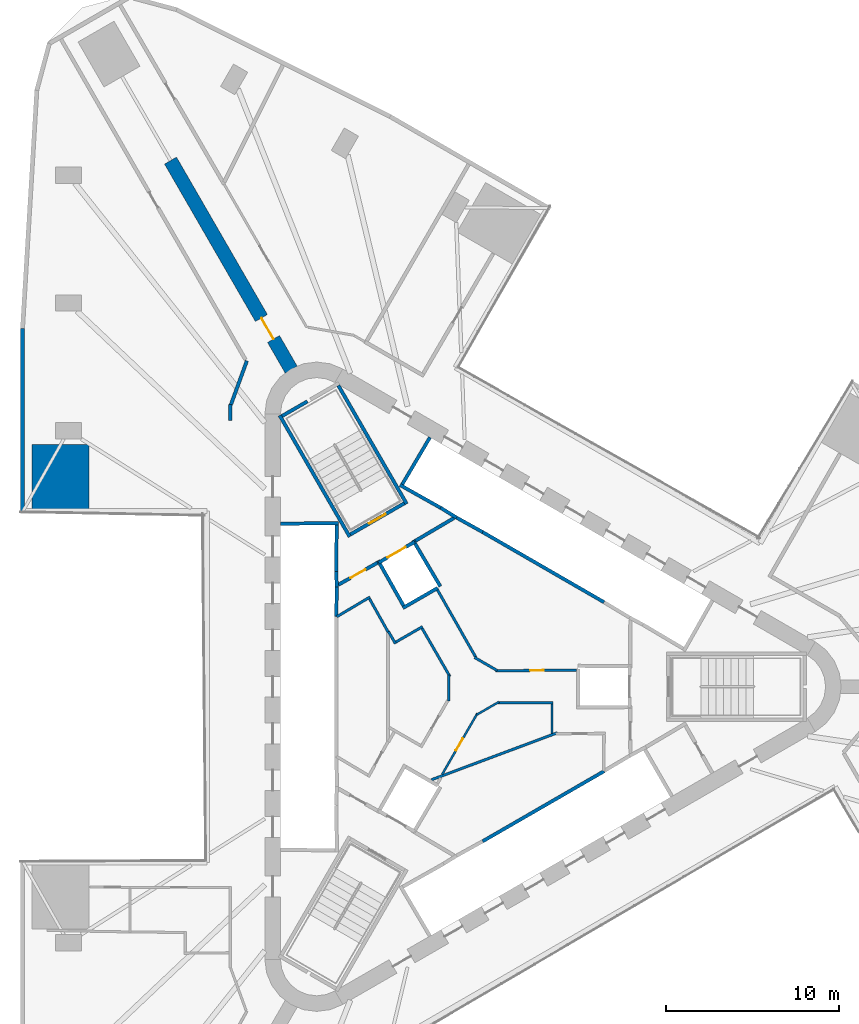
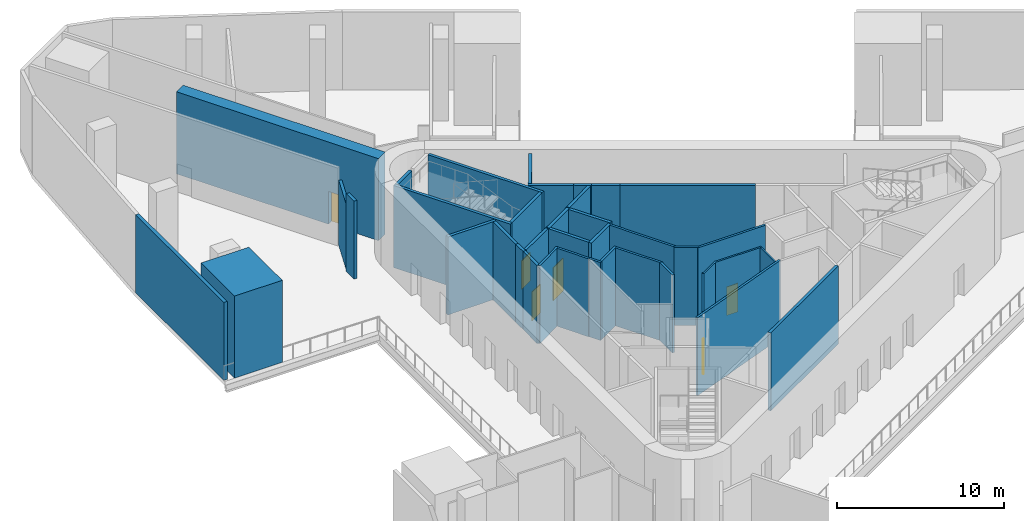
# One storey, part 5 of 11: 39 walls, 6 doors, 6 openings.
"""IFC4 building model written with IfcOpenShell, lengths in metres."""

from ifc_helpers import new_model, si_unit, direction, frame, frame_2d, origin, place, context, subcontext, project, spatial, polyline, rectangle, outline, extrude, material, layer, layer_set, type_object, element, fill, save


model = new_model("IFC4")

# Units and contexts
model_context = context("Model", 3, precision=1e-05, world=origin(), true_north=direction((0.0, 1.0)))
body_context = subcontext(model_context, "Body", "Model", "MODEL_VIEW")
ifc_project = project(units=[si_unit("LENGTHUNIT", "METRE"), si_unit("AREAUNIT", "SQUARE_METRE"), si_unit("VOLUMEUNIT", "CUBIC_METRE"), si_unit("PLANEANGLEUNIT", "RADIAN"), si_unit("MASSUNIT", "GRAM", prefix="KILO")], contexts=[model_context])

# Site, building, storey
site_placement = place(None, origin())
site = spatial("IfcSite", under=ifc_project, at=site_placement, CompositionType="ELEMENT")
building_placement = place(site_placement, origin())
building = spatial("IfcBuilding", under=site, at=building_placement, Name="Tanit Gate Tower", CompositionType="ELEMENT")
storey_placement = place(building_placement, frame((0.0, 0.0, 15.5)))
storey = spatial("IfcBuildingStorey", under=building, at=storey_placement, Name="L02", CompositionType="ELEMENT", Elevation=15.5)

# Wall, opening, door
ifc_material_1 = material(Name="Concrete C60/75", Category="concrete")
ifc_layer_1 = layer(ifc_material_1, 0.800048828125)
ifc_layer_set_1 = layer_set([ifc_layer_1], Name="BUTTRESS FIN 800 C60/75")
wall_type_1 = type_object("IfcWallType", Name="BUTTRESS FIN 800 C60/75", PredefinedType="SHEAR", material=ifc_layer_set_1)
wall_1_placement = place(storey_placement, frame((-10.574951171875, 18.31640625, 0.0), z_axis=(0.0, 0.0, 1.0), x_axis=(-0.499996575515, 0.866027380903, 0.0)))
wall_1 = element("IfcWall", 1, at=wall_1_placement, inside=storey, type_object=wall_type_1, Name="BUTTRESS FIN", PredefinedType="SHEAR", context=body_context, shape_type="SweptSolid", body=[
    extrude(rectangle(XDim=13.9541015625, YDim=0.800048828125, at=frame_2d((6.97705078125, 0.0))), origin(), (0.0, 0.0, 1.0), 6.0),
])
opening_1_placement = place(wall_1_placement, frame((2.050048828125, 0.0, 0.0)))
opening_1 = element("IfcOpeningElement", 2, at=opening_1_placement, cuts=wall_1, Name="Opening P14-02-F-NW-1", PredefinedType="OPENING", context=body_context, shape_type="SweptSolid", body=[
    extrude(rectangle(XDim=1.39990234375, YDim=2.39990234375, at=frame_2d((0.699951171875, 1.199951171875))), frame((0.0, 0.41015625, 0.0), z_axis=(0.0, -1.0, 0.0), x_axis=(1.0, 0.0, 0.0)), (0.0, 0.0, 1.0), 0.820068359375),
])
ifc_material_2 = material(Name="Timber door leaf", Category="wood")
door_type_1 = type_object("IfcDoorType", Name="INT-DOOR-FIN-PAIR-1400", OperationType="NOTDEFINED", PredefinedType="NOTDEFINED", material=ifc_material_2)
door_1_placement = place(opening_1_placement, origin())
door_1 = element("IfcDoor", 3, at=door_1_placement, inside=storey, type_object=door_type_1, Name="Door P14-02-F-NW-1", OperationType="DOUBLE_DOOR_SINGLE_SWING", OverallHeight=2.39990234375, OverallWidth=1.39990234375, PredefinedType="NOTDEFINED", context=body_context, shape_type="SweptSolid", body=[
    extrude(rectangle(XDim=1.39990234375, YDim=2.39990234375, at=frame_2d((0.699951171875, 1.199951171875))), frame((0.0, 0.02490234375, 0.0), z_axis=(0.0, -1.0, 0.0), x_axis=(1.0, 0.0, 0.0)), (0.0, 0.0, 1.0), 0.050048828125),
])
fill(opening_1, door_1)

# Walls
ifc_material_3 = material(Name="Concrete C30/37 with bronze anodised aluminium cladding", Category="concrete")
ifc_layer_2 = layer(ifc_material_3, 0.239990234375)
ifc_layer_set_2 = layer_set([ifc_layer_2], Name="Facade wall bronze clad 240")
wall_type_2 = type_object("IfcWallType", Name="Facade wall bronze clad 240", PredefinedType="SOLIDWALL", material=ifc_layer_set_2)
wall_2_placement = place(storey_placement, frame((-26.10986328125, 20.685302734375, 0.0), z_axis=(0.0, 0.0, 1.0), x_axis=(6.9319284e-05, -0.999999997597, 0.0)))
element("IfcWall", 4, at=wall_2_placement, inside=storey, type_object=wall_type_2, Name="Bronze-clad facade wall L02 W2a", PredefinedType="SOLIDWALL", context=body_context, shape_type="SweptSolid", body=[
    extrude(rectangle(XDim=10.56591796875, YDim=0.239990234375, at=frame_2d((5.282958984375, 0.0))), origin(), (0.0, 0.0, 1.0), 5.699951171875),
])
ifc_material_4 = material(Name="Fire-rated gypsum board partition")
ifc_layer_3 = layer(ifc_material_4, 0.199951171875)
ifc_layer_set_3 = layer_set([ifc_layer_3], Name="INT-WALL-COMPARTMENT")
wall_type_3 = type_object("IfcWallType", Name="INT-WALL-COMPARTMENT", PredefinedType="PARTITIONING", material=ifc_layer_set_3)
wall_3_placement = place(storey_placement, frame((-1.1796875, 9.744384765625, 0.0), z_axis=(0.0, 0.0, 1.0), x_axis=(-0.860615607571, -0.509255118781, 0.0)))
element("IfcWall", 5, at=wall_3_placement, inside=storey, type_object=wall_type_3, Name="Wall Compartment W064", PredefinedType="PARTITIONING", context=body_context, shape_type="SweptSolid", body=[
    extrude(rectangle(XDim=2.58056640625, YDim=0.199951171875, at=frame_2d((1.290283203125, 0.0))), origin(), (0.0, 0.0, 1.0), 5.699951171875),
])

# Wall, opening, door
wall_4_placement = place(storey_placement, frame((-5.600341796875, 7.16015625, 0.0), z_axis=(0.0, 0.0, 1.0), x_axis=(-0.871363259478, -0.490638431059, 0.0)))
wall_4 = element("IfcWall", 6, at=wall_4_placement, inside=storey, type_object=wall_type_3, Name="Wall Compartment W065", PredefinedType="PARTITIONING", context=body_context, shape_type="SweptSolid", body=[
    extrude(rectangle(XDim=2.5810546875, YDim=0.199951171875, at=frame_2d((1.29052734375, 0.0))), origin(), (0.0, 0.0, 1.0), 5.699951171875),
])
opening_2_placement = place(wall_4_placement, frame((0.79052734375, 0.0, 0.0)))
opening_2 = element("IfcOpeningElement", 7, at=opening_2_placement, cuts=wall_4, Name="Opening F10-02-05", PredefinedType="OPENING", context=body_context, shape_type="SweptSolid", body=[
    extrude(rectangle(XDim=1.0, YDim=2.10009765625, at=frame_2d((0.5, 1.050048828125))), frame((0.0, 0.10986328125, 0.0), z_axis=(0.0, -1.0, 0.0), x_axis=(1.0, 0.0, 0.0)), (0.0, 0.0, 1.0), 0.219970703125),
])
ifc_material_5 = material(Name="Fire-rated steel door leaf", Category="steel")
door_type_2 = type_object("IfcDoorType", Name="INT-DOOR-FIRE-1000", OperationType="NOTDEFINED", PredefinedType="USERDEFINED", material=ifc_material_5)
door_2_placement = place(opening_2_placement, origin())
door_2 = element("IfcDoor", 8, at=door_2_placement, inside=storey, type_object=door_type_2, Name="Door F10-02-05", ObjectType="FIRE DOOR", OperationType="SINGLE_SWING_LEFT", OverallHeight=2.10009765625, OverallWidth=1.0, PredefinedType="USERDEFINED", context=body_context, shape_type="SweptSolid", body=[
    extrude(rectangle(XDim=1.0, YDim=2.10009765625, at=frame_2d((0.5, 1.050048828125))), frame((0.0, 0.02490234375, 0.0), z_axis=(0.0, -1.0, 0.0), x_axis=(1.0, 0.0, 0.0)), (0.0, 0.0, 1.0), 0.050048828125),
])
fill(opening_2, door_2)

# Walls
wall_5_placement = place(storey_placement, frame((-14.10009765625, 16.293701171875, 0.0), z_axis=(0.0, 0.0, 1.0), x_axis=(0.0, -1.0, 0.0)))
element("IfcWall", 9, at=wall_5_placement, inside=storey, type_object=wall_type_3, Name="Wall Compartment W091", PredefinedType="PARTITIONING", context=body_context, shape_type="SweptSolid", body=[
    extrude(rectangle(XDim=0.92041015625, YDim=0.199951171875, at=frame_2d((0.460205078125, 0.0))), origin(), (0.0, 0.0, 1.0), 5.699951171875),
])
wall_6_placement = place(storey_placement, frame((-13.140625, 18.831298828125, 0.0), z_axis=(0.0, 0.0, 1.0), x_axis=(-0.34184444978, -0.939756549408, 0.0)))
element("IfcWall", 10, at=wall_6_placement, inside=storey, type_object=wall_type_3, Name="Wall Compartment W092", PredefinedType="PARTITIONING", context=body_context, shape_type="SweptSolid", body=[
    extrude(rectangle(XDim=2.706787109375, YDim=0.199951171875, at=frame_2d((1.353515625, 0.0))), origin(), (0.0, 0.0, 1.0), 4.780029296875),
])

# Wall, opening, door
ifc_material_6 = material(Name="Gypsum board partition")
ifc_layer_4 = layer(ifc_material_6, 0.1201171875)
ifc_layer_set_4 = layer_set([ifc_layer_4], Name="INT-WALL-PARTITION")
wall_type_4 = type_object("IfcWallType", Name="INT-WALL-PARTITION", PredefinedType="PARTITIONING", material=ifc_layer_set_4)
wall_7_placement = place(storey_placement, frame((0.181884765625, -1.534912109375, 0.0), z_axis=(0.0, 0.0, 1.0), x_axis=(-0.499988401207, -0.866032100247, 0.0)))
wall_7 = element("IfcWall", 11, at=wall_7_placement, inside=storey, type_object=wall_type_4, Name="Wall Partition W072", PredefinedType="PARTITIONING", context=body_context, shape_type="SweptSolid", body=[
    extrude(rectangle(XDim=4.0791015625, YDim=0.1201171875, at=frame_2d((2.03955078125, 0.0))), origin(), (0.0, 0.0, 1.0), 5.699951171875),
])
opening_3_placement = place(wall_7_placement, frame((1.69140625, 0.0, 0.0)))
opening_3 = element("IfcOpeningElement", 12, at=opening_3_placement, cuts=wall_7, Name="Opening R08-02-11", PredefinedType="OPENING", context=body_context, shape_type="SweptSolid", body=[
    extrude(rectangle(XDim=0.800048828125, YDim=2.10009765625, at=frame_2d((0.39990234375, 1.050048828125))), frame((0.0, 0.070068359375, 0.0), z_axis=(0.0, -1.0, 0.0), x_axis=(1.0, 0.0, 0.0)), (0.0, 0.0, 1.0), 0.14013671875),
])
ifc_material_7 = material(Name="Timber door leaf", Category="wood")
door_type_3 = type_object("IfcDoorType", Name="INT-DOOR-RISER-800", OperationType="NOTDEFINED", PredefinedType="USERDEFINED", material=ifc_material_7)
door_3_placement = place(opening_3_placement, origin())
door_3 = element("IfcDoor", 13, at=door_3_placement, inside=storey, type_object=door_type_3, Name="Door R08-02-11", ObjectType="FIRE DOOR", OperationType="SINGLE_SWING_RIGHT", OverallHeight=2.10009765625, OverallWidth=0.800048828125, PredefinedType="USERDEFINED", context=body_context, shape_type="SweptSolid", body=[
    extrude(rectangle(XDim=0.800048828125, YDim=2.10009765625, at=frame_2d((0.39990234375, 1.050048828125))), frame((0.0, 0.02490234375, 0.0), z_axis=(0.0, -1.0, 0.0), x_axis=(1.0, 0.0, 0.0)), (0.0, 0.0, 1.0), 0.050048828125),
])
fill(opening_3, door_3)

# Walls
wall_8_placement = place(storey_placement, frame((1.432373046875, -0.873046875, 0.0), z_axis=(0.0, 0.0, 1.0), x_axis=(-0.866029572143, -0.499992780121, 0.0)))
element("IfcWall", 14, at=wall_8_placement, inside=storey, type_object=wall_type_4, Name="Wall Partition W073", PredefinedType="PARTITIONING", context=body_context, shape_type="SweptSolid", body=[
    extrude(rectangle(XDim=1.4853515625, YDim=0.1201171875, at=frame_2d((0.74267578125, 0.0))), origin(), (0.0, 0.0, 1.0), 5.699951171875),
])
wall_9_placement = place(storey_placement, frame((4.56005859375, -0.925048828125, 0.0), z_axis=(0.0, 0.0, 1.0), x_axis=(-1.0, 0.0, 0.0)))
element("IfcWall", 15, at=wall_9_placement, inside=storey, type_object=wall_type_4, Name="Wall Partition W074", PredefinedType="PARTITIONING", context=body_context, shape_type="SweptSolid", body=[
    extrude(rectangle(XDim=3.19921875, YDim=0.1201171875, at=frame_2d((1.599609375, 0.0))), origin(), (0.0, 0.0, 1.0), 5.699951171875),
])
wall_10_placement = place(storey_placement, frame((4.5, -2.699951171875, 0.0), z_axis=(0.0, 0.0, 1.0), x_axis=(0.0, 1.0, 0.0)))
element("IfcWall", 16, at=wall_10_placement, inside=storey, type_object=wall_type_4, Name="Wall Partition W075", PredefinedType="PARTITIONING", context=body_context, shape_type="SweptSolid", body=[
    extrude(rectangle(XDim=1.71484375, YDim=0.1201171875, at=frame_2d((0.857421875, 0.0))), origin(), (0.0, 0.0, 1.0), 5.699951171875),
])

# Wall, opening, door
ifc_material_8 = material(Name="Fire-rated gypsum board partition")
ifc_layer_5 = layer(ifc_material_8, 0.14990234375)
ifc_layer_set_5 = layer_set([ifc_layer_5], Name="INT-WALL-RISER")
wall_type_5 = type_object("IfcWallType", Name="INT-WALL-RISER", PredefinedType="PLUMBINGWALL", material=ifc_layer_set_5)
wall_11_placement = place(storey_placement, frame((1.21435546875, 0.924072265625, 0.0), z_axis=(0.0, 0.0, 1.0), x_axis=(0.999979796062, 0.006356686907, 0.0)))
wall_11 = element("IfcWall", 17, at=wall_11_placement, inside=storey, type_object=wall_type_5, Name="Wall Riser W068", PredefinedType="PLUMBINGWALL", context=body_context, shape_type="SweptSolid", body=[
    extrude(rectangle(XDim=4.685546875, YDim=0.14990234375, at=frame_2d((2.3427734375, 0.0))), origin(), (0.0, 0.0, 1.0), 5.699951171875),
])
opening_4_placement = place(wall_11_placement, frame((2.0068359375, 0.0, 0.0)))
opening_4 = element("IfcOpeningElement", 18, at=opening_4_placement, cuts=wall_11, Name="Opening R08-02-10", PredefinedType="OPENING", context=body_context, shape_type="SweptSolid", body=[
    extrude(rectangle(XDim=0.800048828125, YDim=2.10009765625, at=frame_2d((0.39990234375, 1.050048828125))), frame((0.0, 0.0849609375, 0.0), z_axis=(0.0, -1.0, 0.0), x_axis=(1.0, 0.0, 0.0)), (0.0, 0.0, 1.0), 0.169921875),
])
door_4_placement = place(opening_4_placement, origin())
door_4 = element("IfcDoor", 19, at=door_4_placement, inside=storey, type_object=door_type_3, Name="Door R08-02-10", ObjectType="FIRE DOOR", OperationType="SINGLE_SWING_RIGHT", OverallHeight=2.10009765625, OverallWidth=0.800048828125, PredefinedType="USERDEFINED", context=body_context, shape_type="SweptSolid", body=[
    extrude(rectangle(XDim=0.800048828125, YDim=2.10009765625, at=frame_2d((0.39990234375, 1.050048828125))), frame((0.0, 0.02490234375, 0.0), z_axis=(0.0, -1.0, 0.0), x_axis=(1.0, 0.0, 0.0)), (0.0, 0.0, 1.0), 0.050048828125),
])
fill(opening_4, door_4)

# Walls
wall_12_placement = place(storey_placement, frame((0.01904296875, 1.68896484375, 0.0), z_axis=(0.0, 0.0, 1.0), x_axis=(0.866047774678, -0.499961250474, 0.0)))
element("IfcWall", 20, at=wall_12_placement, inside=storey, type_object=wall_type_5, Name="Wall Riser W069", PredefinedType="PLUMBINGWALL", context=body_context, shape_type="SweptSolid", body=[
    extrude(rectangle(XDim=1.50439453125, YDim=0.14990234375, at=frame_2d((0.752197265625, 0.0))), origin(), (0.0, 0.0, 1.0), 5.699951171875),
])
wall_13_placement = place(storey_placement, frame((-2.1240234375, 5.58642578125, 0.0), z_axis=(0.0, 0.0, 1.0), x_axis=(0.494514430604, -0.869169418424, 0.0)))
element("IfcWall", 21, at=wall_13_placement, inside=storey, type_object=wall_type_5, Name="Wall Riser W070", PredefinedType="PLUMBINGWALL", context=body_context, shape_type="SweptSolid", body=[
    extrude(rectangle(XDim=4.5341796875, YDim=0.14990234375, at=frame_2d((2.26708984375, 0.0))), origin(), (0.0, 0.0, 1.0), 5.699951171875),
])
wall_14_placement = place(storey_placement, frame((4.80712890625, -2.658935546875, 0.0), z_axis=(0.0, 0.0, 1.0), x_axis=(-0.936818342118, -0.349816228714, 0.0)))
element("IfcWall", 22, at=wall_14_placement, inside=storey, type_object=wall_type_5, Name="Wall Riser W071", PredefinedType="PLUMBINGWALL", context=body_context, shape_type="SweptSolid", body=[
    extrude(rectangle(XDim=7.779541015625, YDim=0.14990234375, at=frame_2d((3.8896484375, 0.0))), origin(), (0.0, 0.0, 1.0), 5.699951171875),
])
wall_15_placement = place(storey_placement, frame((-6.023681640625, 5.183349609375, 0.0), z_axis=(0.0, 0.0, 1.0), x_axis=(-0.860126804455, -0.510080268447, 0.0)))
element("IfcWall", 23, at=wall_15_placement, inside=storey, type_object=wall_type_5, Name="Wall Riser W082", PredefinedType="PLUMBINGWALL", context=body_context, shape_type="SweptSolid", body=[
    extrude(rectangle(XDim=2.239501953125, YDim=0.14990234375, at=frame_2d((1.11962890625, 0.0))), origin(), (0.0, 0.0, 1.0), 5.699951171875),
])
wall_16_placement = place(storey_placement, frame((-4.98291015625, 3.172119140625, 0.0), z_axis=(0.0, 0.0, 1.0), x_axis=(-0.488701962514, 0.872450796226, 0.0)))
element("IfcWall", 24, at=wall_16_placement, inside=storey, type_object=wall_type_5, Name="Wall Riser W083", PredefinedType="PLUMBINGWALL", context=body_context, shape_type="SweptSolid", body=[
    extrude(rectangle(XDim=2.1865234375, YDim=0.14990234375, at=frame_2d((1.09326171875, 0.0))), origin(), (0.0, 0.0, 1.0), 5.699951171875),
])
wall_17_placement = place(storey_placement, frame((-4.55078125, 2.482177734375, 0.0), z_axis=(0.0, 0.0, 1.0), x_axis=(-0.499852395195, 0.866110606688, 0.0)))
element("IfcWall", 25, at=wall_17_placement, inside=storey, type_object=wall_type_5, Name="Wall Riser W084", PredefinedType="PLUMBINGWALL", context=body_context, shape_type="SweptSolid", body=[
    extrude(rectangle(XDim=0.813232421875, YDim=0.14990234375, at=frame_2d((0.40673828125, 0.0))), origin(), (0.0, 0.0, 1.0), 5.699951171875),
])
wall_18_placement = place(storey_placement, frame((-2.986083984375, 3.47216796875, 0.0), z_axis=(0.0, 0.0, 1.0), x_axis=(-0.866059624469, -0.499940723351, 0.0)))
element("IfcWall", 26, at=wall_18_placement, inside=storey, type_object=wall_type_5, Name="Wall Riser W085", PredefinedType="PLUMBINGWALL", context=body_context, shape_type="SweptSolid", body=[
    extrude(rectangle(XDim=1.775146484375, YDim=0.14990234375, at=frame_2d((0.8876953125, 0.0))), origin(), (0.0, 0.0, 1.0), 5.699951171875),
])
wall_19_placement = place(storey_placement, frame((-1.4072265625, 0.58740234375, 0.0), z_axis=(0.0, 0.0, 1.0), x_axis=(-0.500029427677, 0.866008413041, 0.0)))
element("IfcWall", 27, at=wall_19_placement, inside=storey, type_object=wall_type_5, Name="Wall Riser W086", PredefinedType="PLUMBINGWALL", context=body_context, shape_type="SweptSolid", body=[
    extrude(rectangle(XDim=3.212646484375, YDim=0.14990234375, at=frame_2d((1.6064453125, 0.0))), origin(), (0.0, 0.0, 1.0), 5.699951171875),
])
wall_20_placement = place(storey_placement, frame((-1.47216796875, -0.829833984375, 0.0), z_axis=(0.0, 0.0, 1.0), x_axis=(0.0, 1.0, 0.0)))
element("IfcWall", 28, at=wall_20_placement, inside=storey, type_object=wall_type_5, Name="Wall Riser W087", PredefinedType="PLUMBINGWALL", context=body_context, shape_type="SweptSolid", body=[
    extrude(rectangle(XDim=1.506591796875, YDim=0.14990234375, at=frame_2d((0.75341796875, 0.0))), origin(), (0.0, 0.0, 1.0), 5.699951171875),
])
ifc_material_9 = material(Name="Gypsum shaft wall system")
ifc_layer_6 = layer(ifc_material_9, 0.199951171875)
ifc_layer_set_6 = layer_set([ifc_layer_6], Name="INT-WALL-SHAFT")
wall_type_6 = type_object("IfcWallType", Name="INT-WALL-SHAFT", PredefinedType="PLUMBINGWALL", material=ifc_layer_set_6)
wall_21_placement = place(storey_placement, frame((-11.199951171875, 9.419921875, 0.0), z_axis=(0.0, 0.0, 1.0), x_axis=(0.999957167047, 0.009255488683, 0.0)))
element("IfcWall", 29, at=wall_21_placement, inside=storey, type_object=wall_type_6, Name="Wall Shaft W001", PredefinedType="PLUMBINGWALL", context=body_context, shape_type="SweptSolid", body=[
    extrude(rectangle(XDim=3.35009765625, YDim=0.199951171875, at=frame_2d((1.675048828125, 0.0))), origin(), (0.0, 0.0, 1.0), 5.699951171875),
])
wall_22_placement = place(storey_placement, frame((-7.951171875, 9.35009765625, 0.0), z_axis=(0.0, 0.0, 1.0), x_axis=(-0.011120469654, -0.999938165666, 0.0)))
element("IfcWall", 30, at=wall_22_placement, inside=storey, type_object=wall_type_6, Name="Wall Shaft W002", PredefinedType="PLUMBINGWALL", context=body_context, shape_type="SweptSolid", body=[
    extrude(rectangle(XDim=2.700439453125, YDim=0.199951171875, at=frame_2d((1.35009765625, 0.0))), origin(), (0.0, 0.0, 1.0), 5.699951171875),
])
wall_23_placement = place(storey_placement, frame((7.497314453125, 4.885986328125, 0.0), z_axis=(0.0, 0.0, 1.0), x_axis=(-0.866030989016, 0.499990325971, 0.0)))
element("IfcWall", 31, at=wall_23_placement, inside=storey, type_object=wall_type_6, Name="Wall Shaft W003", PredefinedType="PLUMBINGWALL", context=body_context, shape_type="SweptSolid", body=[
    extrude(rectangle(XDim=8.099853515625, YDim=0.199951171875, at=frame_2d((4.0498046875, 0.0))), origin(), (0.0, 0.0, 1.0), 5.699951171875),
])
wall_24_placement = place(storey_placement, frame((-7.97705078125, 6.650146484375, 0.0), z_axis=(0.0, 0.0, 1.0), x_axis=(0.030861509705, -0.999523670164, 0.0)))
element("IfcWall", 32, at=wall_24_placement, inside=storey, type_object=wall_type_6, Name="Wall Shaft W004", PredefinedType="PLUMBINGWALL", context=body_context, shape_type="SweptSolid", body=[
    extrude(rectangle(XDim=0.878173828125, YDim=0.199951171875, at=frame_2d((0.43896484375, 0.0))), origin(), (0.0, 0.0, 1.0), 5.699951171875),
])
wall_25_placement = place(storey_placement, frame((-7.94921875, 5.894775390625, 0.0), z_axis=(0.0, 0.0, 1.0), x_axis=(-0.012042535896, -0.999927486035, 0.0)))
element("IfcWall", 33, at=wall_25_placement, inside=storey, type_object=wall_type_6, Name="Wall Shaft W005", PredefinedType="PLUMBINGWALL", context=body_context, shape_type="SweptSolid", body=[
    extrude(rectangle(XDim=1.844970703125, YDim=0.199951171875, at=frame_2d((0.92236328125, 0.0))), origin(), (0.0, 0.0, 1.0), 5.699951171875),
])
wall_26_placement = place(storey_placement, frame((-1.940673828125, 10.338623046875, 0.0), z_axis=(0.0, 0.0, 1.0), x_axis=(0.850216889117, -0.526432561171, 0.0)))
element("IfcWall", 34, at=wall_26_placement, inside=storey, type_object=wall_type_6, Name="Wall Shaft W019", PredefinedType="PLUMBINGWALL", context=body_context, shape_type="SweptSolid", body=[
    extrude(rectangle(XDim=1.078369140625, YDim=0.199951171875, at=frame_2d((0.5390625, 0.0))), origin(), (0.0, 0.0, 1.0), 5.699951171875),
])
wall_27_placement = place(storey_placement, frame((0.482666015625, 8.935791015625, 0.0), z_axis=(0.0, 0.0, 1.0), x_axis=(-0.874269620932, 0.485440655401, 0.0)))
element("IfcWall", 35, at=wall_27_placement, inside=storey, type_object=wall_type_6, Name="Wall Shaft W020", PredefinedType="PLUMBINGWALL", context=body_context, shape_type="SweptSolid", body=[
    extrude(rectangle(XDim=1.8447265625, YDim=0.199951171875, at=frame_2d((0.92236328125, 0.0))), origin(), (0.0, 0.0, 1.0), 5.699951171875),
])
wall_28_placement = place(storey_placement, frame((-4.296142578125, 11.658935546875, 0.0), z_axis=(0.0, 0.0, 1.0), x_axis=(0.871534483978, -0.490334215854, 0.0)))
element("IfcWall", 36, at=wall_28_placement, inside=storey, type_object=wall_type_6, Name="Wall Shaft W021", PredefinedType="PLUMBINGWALL", context=body_context, shape_type="SweptSolid", body=[
    extrude(rectangle(XDim=2.7001953125, YDim=0.199951171875, at=frame_2d((1.35009765625, 0.0))), origin(), (0.0, 0.0, 1.0), 5.699951171875),
])
wall_29_placement = place(storey_placement, frame((-4.158203125, 11.696044921875, 0.0), z_axis=(0.0, 0.0, 1.0), x_axis=(0.508018930956, 0.861345903683, 0.0)))
element("IfcWall", 37, at=wall_29_placement, inside=storey, type_object=wall_type_6, Name="Wall Shaft W022", PredefinedType="PLUMBINGWALL", context=body_context, shape_type="SweptSolid", body=[
    extrude(rectangle(XDim=3.150146484375, YDim=0.199951171875, at=frame_2d((1.5751953125, 0.0))), origin(), (0.0, 0.0, 1.0), 5.699951171875),
])
wall_30_placement = place(storey_placement, frame((0.482666015625, -8.935791015625, 0.0), z_axis=(0.0, 0.0, 1.0), x_axis=(0.866030989016, 0.499990325971, 0.0)))
element("IfcWall", 38, at=wall_30_placement, inside=storey, type_object=wall_type_6, Name="Wall Shaft W031", PredefinedType="PLUMBINGWALL", context=body_context, shape_type="SweptSolid", body=[
    extrude(rectangle(XDim=8.099853515625, YDim=0.199951171875, at=frame_2d((4.0498046875, 0.0))), origin(), (0.0, 0.0, 1.0), 5.699951171875),
])

# Wall, opening, door
wall_31_placement = place(storey_placement, frame((-5.524169921875, 7.168212890625, 0.0), z_axis=(0.0, 0.0, 1.0), x_axis=(0.866024647952, 0.500001309137, 0.0)))
wall_31 = element("IfcWall", 39, at=wall_31_placement, inside=storey, type_object=wall_type_6, Name="Wall Shaft W047", PredefinedType="PLUMBINGWALL", context=body_context, shape_type="SweptSolid", body=[
    extrude(rectangle(XDim=2.39990234375, YDim=0.199951171875, at=frame_2d((1.199951171875, 0.0))), origin(), (0.0, 0.0, 1.0), 5.699951171875),
])
opening_5_placement = place(wall_31_placement, frame((0.60009765625, 0.0, 0.0)))
opening_5 = element("IfcOpeningElement", 40, at=opening_5_placement, cuts=wall_31, Name="Opening LDFL2-L02", PredefinedType="OPENING", context=body_context, shape_type="SweptSolid", body=[
    extrude(rectangle(XDim=1.199951171875, YDim=2.39990234375, at=frame_2d((0.60009765625, 1.199951171875))), frame((0.0, 0.10986328125, 0.0), z_axis=(0.0, -1.0, 0.0), x_axis=(1.0, 0.0, 0.0)), (0.0, 0.0, 1.0), 0.219970703125),
])
ifc_material_10 = material(Name="Stainless steel sliding door leaf", Category="steel")
door_type_4 = type_object("IfcDoorType", Name="INT-DOOR-LANDING-1200", OperationType="NOTDEFINED", PredefinedType="USERDEFINED", material=ifc_material_10)
door_5_placement = place(opening_5_placement, origin())
door_5 = element("IfcDoor", 41, at=door_5_placement, inside=storey, type_object=door_type_4, Name="Door LDFL2-L02", ObjectType="LANDING DOOR", OperationType="SLIDING_TO_LEFT", OverallHeight=2.39990234375, OverallWidth=1.199951171875, PredefinedType="USERDEFINED", context=body_context, shape_type="SweptSolid", body=[
    extrude(rectangle(XDim=1.199951171875, YDim=2.39990234375, at=frame_2d((0.60009765625, 1.199951171875))), frame((0.0, 0.02490234375, 0.0), z_axis=(0.0, -1.0, 0.0), x_axis=(1.0, 0.0, 0.0)), (0.0, 0.0, 1.0), 0.050048828125),
])
fill(opening_5, door_5)

# Walls
wall_32_placement = place(storey_placement, frame((-3.53759765625, 8.46533203125, 0.0), z_axis=(0.0, 0.0, 1.0), x_axis=(0.508647062354, -0.860975125052, 0.0)))
element("IfcWall", 42, at=wall_32_placement, inside=storey, type_object=wall_type_6, Name="Wall Shaft W048", PredefinedType="PLUMBINGWALL", context=body_context, shape_type="SweptSolid", body=[
    extrude(rectangle(XDim=3.10009765625, YDim=0.199951171875, at=frame_2d((1.550048828125, 0.0))), origin(), (0.0, 0.0, 1.0), 5.699951171875),
])
wall_33_placement = place(storey_placement, frame((-2.1083984375, 5.7109375, 0.0), z_axis=(0.0, 0.0, 1.0), x_axis=(-0.866009305107, -0.50002788269, 0.0)))
element("IfcWall", 43, at=wall_33_placement, inside=storey, type_object=wall_type_6, Name="Wall Shaft W049", PredefinedType="PLUMBINGWALL", context=body_context, shape_type="SweptSolid", body=[
    extrude(rectangle(XDim=2.329345703125, YDim=0.199951171875, at=frame_2d((1.16455078125, 0.0))), origin(), (0.0, 0.0, 1.0), 5.699951171875),
])
wall_34_placement = place(storey_placement, frame((-5.5625, 7.29638671875, 0.0), z_axis=(0.0, 0.0, 1.0), x_axis=(0.49134651263, -0.870964180966, 0.0)))
element("IfcWall", 44, at=wall_34_placement, inside=storey, type_object=wall_type_6, Name="Wall Shaft W050", PredefinedType="PLUMBINGWALL", context=body_context, shape_type="SweptSolid", body=[
    extrude(rectangle(XDim=3.000244140625, YDim=0.199951171875, at=frame_2d((1.5, 0.0))), origin(), (0.0, 0.0, 1.0), 5.699951171875),
])
ifc_material_11 = material(Name="Concrete C40/50", Category="concrete")
ifc_layer_7 = layer(ifc_material_11, 0.199951171875)
ifc_layer_set_7 = layer_set([ifc_layer_7], Name="INT-WALL-STAIR")
wall_type_7 = type_object("IfcWallType", Name="INT-WALL-STAIR", PredefinedType="SHEAR", material=ifc_layer_set_7)
wall_35_placement = place(storey_placement, frame((-11.245361328125, 15.677734375, -0.300048828125), z_axis=(0.0, 0.0, 1.0), x_axis=(0.499977274689, -0.866038523851, 0.0)))
element("IfcWall", 45, at=wall_35_placement, inside=storey, type_object=wall_type_7, Name="Wall Stair W042", PredefinedType="SHEAR", context=body_context, shape_type="SweptSolid", body=[
    extrude(rectangle(XDim=8.10009765625, YDim=0.199951171875, at=frame_2d((4.050048828125, 0.0))), origin(), (0.0, 0.0, 1.0), 6.0),
])
wall_36_placement = place(storey_placement, frame((-9.645263671875, 16.486083984375, -0.300048828125), z_axis=(0.0, 0.0, 1.0), x_axis=(-0.866038843867, -0.499976720371, 0.0)))
element("IfcWall", 46, at=wall_36_placement, inside=storey, type_object=wall_type_7, Name="Wall Stair W043", PredefinedType="SHEAR", context=body_context, shape_type="SweptSolid", body=[
    extrude(rectangle(XDim=1.68994140625, YDim=0.199951171875, at=frame_2d((0.844970703125, 0.0))), origin(), (0.0, 0.0, 1.0), 6.0),
])
wall_37_placement = place(storey_placement, frame((-7.8544921875, 17.404541015625, -0.300048828125), z_axis=(0.0, 0.0, 1.0), x_axis=(0.499997992926, -0.866026562566, 0.0)))
element("IfcWall", 47, at=wall_37_placement, inside=storey, type_object=wall_type_7, Name="Wall Stair W045", PredefinedType="SHEAR", context=body_context, shape_type="SweptSolid", body=[
    extrude(rectangle(XDim=7.89990234375, YDim=0.199951171875, at=frame_2d((3.949951171875, 0.0))), origin(), (0.0, 0.0, 1.0), 6.0),
])

# Wall, opening, door
wall_38_placement = place(storey_placement, frame((-7.158935546875, 8.799560546875, -0.300048828125), z_axis=(0.0, 0.0, 1.0), x_axis=(0.866047807691, 0.499961193289, 0.0)))
wall_38 = element("IfcWall", 48, at=wall_38_placement, inside=storey, type_object=wall_type_7, Name="Wall Stair W046", PredefinedType="SHEAR", context=body_context, shape_type="SweptSolid", body=[
    extrude(rectangle(XDim=3.599853515625, YDim=0.199951171875, at=frame_2d((1.7998046875, 0.0))), origin(), (0.0, 0.0, 1.0), 6.0),
])
opening_6_placement = place(wall_38_placement, frame((1.25, 0.0, 0.300048828125)))
opening_6 = element("IfcOpeningElement", 49, at=opening_6_placement, cuts=wall_38, Name="Opening S11-02-04", PredefinedType="OPENING", context=body_context, shape_type="SweptSolid", body=[
    extrude(rectangle(XDim=1.10009765625, YDim=2.10009765625, at=frame_2d((0.550048828125, 1.050048828125))), frame((0.0, 0.10986328125, 0.0), z_axis=(0.0, -1.0, 0.0), x_axis=(1.0, 0.0, 0.0)), (0.0, 0.0, 1.0), 0.219970703125),
])
ifc_material_12 = material(Name="Timber door leaf", Category="wood")
door_type_5 = type_object("IfcDoorType", Name="INT-DOOR-STAIR-1100", OperationType="NOTDEFINED", PredefinedType="USERDEFINED", material=ifc_material_12)
door_6_placement = place(opening_6_placement, origin())
door_6 = element("IfcDoor", 50, at=door_6_placement, inside=storey, type_object=door_type_5, Name="Door S11-02-04", ObjectType="FIRE DOOR", OperationType="SINGLE_SWING_RIGHT", OverallHeight=2.10009765625, OverallWidth=1.10009765625, PredefinedType="USERDEFINED", context=body_context, shape_type="SweptSolid", body=[
    extrude(rectangle(XDim=1.10009765625, YDim=2.10009765625, at=frame_2d((0.550048828125, 1.050048828125))), frame((0.0, 0.02490234375, 0.0), z_axis=(0.0, -1.0, 0.0), x_axis=(1.0, 0.0, 0.0)), (0.0, 0.0, 1.0), 0.050048828125),
])
fill(opening_6, door_6)

# Wall
ifc_material_13 = material(Name="Concrete C60/75", Category="concrete")
ifc_layer_8 = layer(ifc_material_13, 4.0)
ifc_layer_set_8 = layer_set([ifc_layer_8], Name="PIER WALL 4000 C60/75")
wall_type_8 = type_object("IfcWallType", Name="PIER WALL 4000 C60/75", PredefinedType="SHEAR", material=ifc_layer_set_8)
wall_39_placement = place(storey_placement, origin())
element("IfcWall", 51, at=wall_39_placement, inside=storey, type_object=wall_type_8, Name="PIER WALL", PredefinedType="SHEAR", context=body_context, shape_type="SweptSolid", body=[
    extrude(outline(polyline([(-25.553466796875, 14.0), (-25.553466796875, 10.0), (-22.25341796875, 10.0), (-22.25341796875, 14.0), (-25.553466796875, 14.0)])), origin(), (0.0, 0.0, 1.0), 6.0),
])

save(model, "model.ifc")
